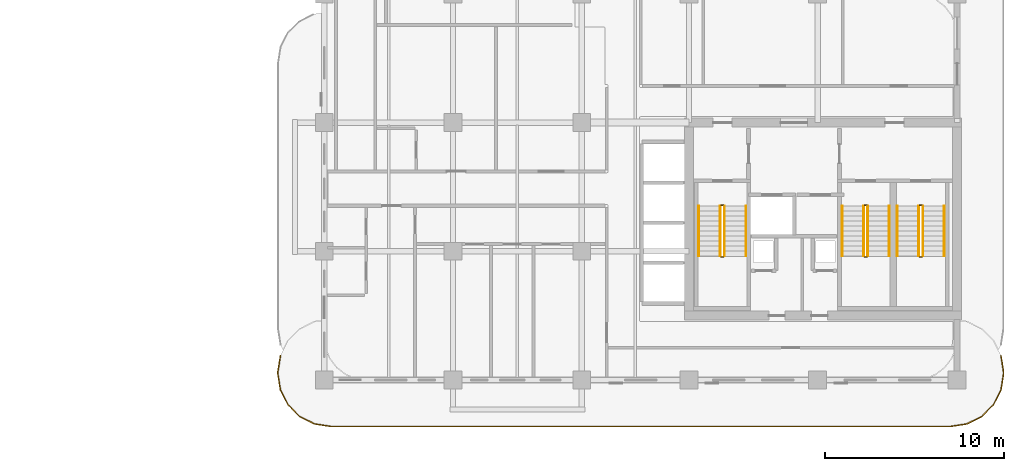
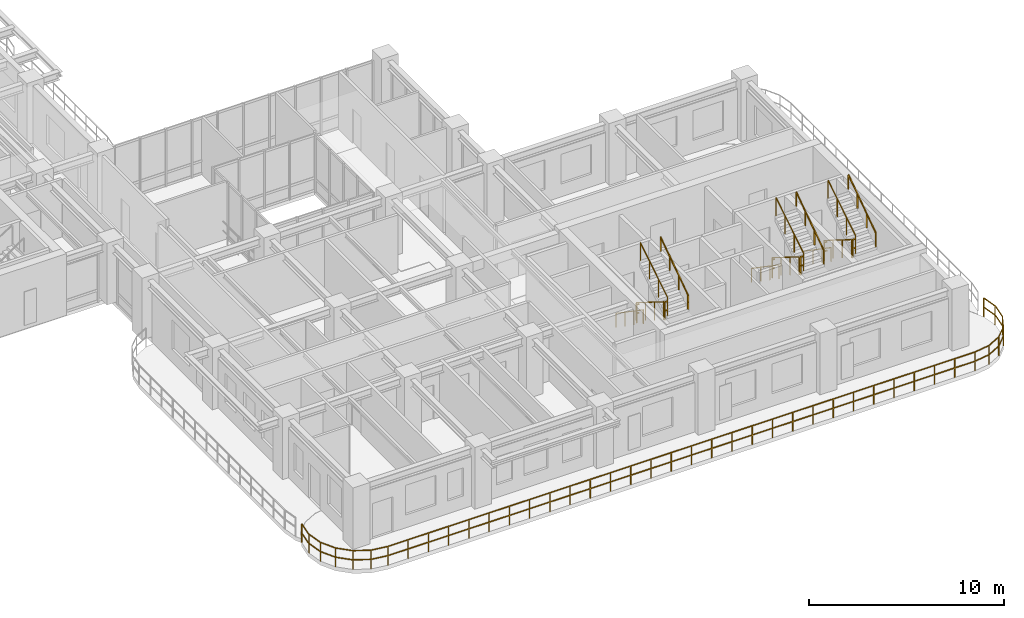
# One storey, part 18 of 20: 19 railings.
"""IFC4 building model written with IfcOpenShell, lengths in metres."""

from ifc_helpers import new_model, si_unit, derived_unit, direction, frame, origin, origin_2d, place, context, subcontext, project, spatial, rectangle, extrude, material, type_object, element, save


model = new_model("IFC4")

# Units and contexts
model_context = context("Model", 3, precision=1e-05, world=origin(), true_north=direction((0.0, 1.0)))
body_context = subcontext(model_context, "Body", "Model", "MODEL_VIEW")
ifc_project = project(units=[si_unit("LENGTHUNIT", "METRE"), si_unit("AREAUNIT", "SQUARE_METRE"), si_unit("VOLUMEUNIT", "CUBIC_METRE"), si_unit("PLANEANGLEUNIT", "RADIAN"), si_unit("MASSUNIT", "GRAM", prefix="KILO"), si_unit("THERMODYNAMICTEMPERATUREUNIT", "KELVIN"), si_unit("POWERUNIT", "WATT"), derived_unit("THERMALTRANSMITTANCEUNIT", [(si_unit("POWERUNIT", "WATT"), 1), (si_unit("AREAUNIT", "SQUARE_METRE"), -1), (si_unit("THERMODYNAMICTEMPERATUREUNIT", "KELVIN"), -1)])], contexts=[model_context])

# Site, building, storey
site_placement = place(None, origin())
site = spatial("IfcSite", under=ifc_project, at=site_placement, CompositionType="ELEMENT")
building_placement = place(site_placement, origin())
building = spatial("IfcBuilding", under=site, at=building_placement, Name="Zahravan Archway Hotel and Residences", CompositionType="ELEMENT")
storey_placement = place(building_placement, frame((0.0, 0.0, 177.25)))
storey = spatial("IfcBuildingStorey", under=building, at=storey_placement, Name="L44", CompositionType="ELEMENT", Elevation=177.25)

# Railings
ifc_material_1 = material(Name="Bronze & Laminated Glass Balustrade", Category="glass")
railing_type_1 = type_object("IfcRailingType", Name="RL-BAL-1200", PredefinedType="BALUSTRADE", material=ifc_material_1)
railing_1_placement = place(storey_placement, frame((52.255615234375, 1.361572265625, 0.0)))
element("IfcRailing", 1, at=railing_1_placement, inside=storey, type_object=railing_type_1, Name="L44 Balustrade RL-SLB-BAL-L44-SA-1", PredefinedType="BALUSTRADE", context=body_context, shape_type="SweptSolid", body=[
    extrude(rectangle(XDim=0.048095703125, YDim=0.048095703125, at=origin_2d()), frame((0.0, 0.0, 1.17578125), z_axis=(0.156329311416, -0.987704989555, 0.0), x_axis=(0.987704989555, 0.156329311416, 0.0)), (0.0, 0.0, 1.0), 0.9228515625),
    extrude(rectangle(XDim=0.048095703125, YDim=0.048095703125, at=origin_2d()), frame((0.0, 0.0, 0.60009765625), z_axis=(0.156329311416, -0.987704989555, 0.0), x_axis=(0.987704989555, 0.156329311416, 0.0)), (0.0, 0.0, 1.0), 0.9228515625),
    extrude(rectangle(XDim=0.048095703125, YDim=0.048095703125, at=origin_2d()), frame((0.144287109375, -0.91162109375, 1.17578125), z_axis=(0.0, -1.0, 0.0), x_axis=(1.0, 0.0, 0.0)), (0.0, 0.0, 1.0), 0.099853515625),
    extrude(rectangle(XDim=0.048095703125, YDim=0.048095703125, at=origin_2d()), frame((0.144287109375, -0.91162109375, 0.60009765625), z_axis=(0.0, -1.0, 0.0), x_axis=(1.0, 0.0, 0.0)), (0.0, 0.0, 1.0), 0.099853515625),
    extrude(rectangle(XDim=0.048095703125, YDim=0.048095703125, at=origin_2d()), frame((0.144287109375, -1.011474609375, 1.17578125), z_axis=(-0.156329311416, -0.987704989555, 0.0), x_axis=(0.987704989555, -0.156329311416, 0.0)), (0.0, 0.0, 1.0), 0.9228515625),
    extrude(rectangle(XDim=0.048095703125, YDim=0.048095703125, at=origin_2d()), frame((0.144287109375, -1.011474609375, 0.60009765625), z_axis=(-0.156329311416, -0.987704989555, 0.0), x_axis=(0.987704989555, -0.156329311416, 0.0)), (0.0, 0.0, 1.0), 0.9228515625),
    extrude(rectangle(XDim=0.048095703125, YDim=0.048095703125, at=origin_2d()), frame((0.0, -1.923095703125, 1.17578125), z_axis=(-0.453866348456, -0.891069771532, 0.0), x_axis=(0.891069771532, -0.453866348456, 0.0)), (0.0, 0.0, 1.0), 0.923095703125),
    extrude(rectangle(XDim=0.048095703125, YDim=0.048095703125, at=origin_2d()), frame((0.0, -1.923095703125, 0.60009765625), z_axis=(-0.453866348456, -0.891069771532, 0.0), x_axis=(0.891069771532, -0.453866348456, 0.0)), (0.0, 0.0, 1.0), 0.923095703125),
    extrude(rectangle(XDim=0.048095703125, YDim=0.048095703125, at=origin_2d()), frame((-0.4189453125, -2.74560546875, 1.17578125), z_axis=(-0.707106781187, -0.707106781187, 0.0), x_axis=(0.707106781187, -0.707106781187, 0.0)), (0.0, 0.0, 1.0), 0.9228515625),
    extrude(rectangle(XDim=0.048095703125, YDim=0.048095703125, at=origin_2d()), frame((-0.4189453125, -2.74560546875, 0.60009765625), z_axis=(-0.707106781187, -0.707106781187, 0.0), x_axis=(0.707106781187, -0.707106781187, 0.0)), (0.0, 0.0, 1.0), 0.9228515625),
    extrude(rectangle(XDim=0.048095703125, YDim=0.048095703125, at=origin_2d()), frame((-1.071533203125, -3.398193359375, 1.17578125), z_axis=(-0.891069771532, -0.453866348456, 0.0), x_axis=(0.453866348456, -0.891069771532, 0.0)), (0.0, 0.0, 1.0), 0.923095703125),
    extrude(rectangle(XDim=0.048095703125, YDim=0.048095703125, at=origin_2d()), frame((-1.071533203125, -3.398193359375, 0.60009765625), z_axis=(-0.891069771532, -0.453866348456, 0.0), x_axis=(0.453866348456, -0.891069771532, 0.0)), (0.0, 0.0, 1.0), 0.923095703125),
    extrude(rectangle(XDim=0.048095703125, YDim=0.048095703125, at=origin_2d()), frame((-1.89404296875, -3.817138671875, 1.17578125), z_axis=(-0.98766411426, -0.156587347521, 0.0), x_axis=(0.156587347521, -0.98766411426, 0.0)), (0.0, 0.0, 1.0), 0.923095703125),
    extrude(rectangle(XDim=0.048095703125, YDim=0.048095703125, at=origin_2d()), frame((-1.89404296875, -3.817138671875, 0.60009765625), z_axis=(-0.98766411426, -0.156587347521, 0.0), x_axis=(0.156587347521, -0.98766411426, 0.0)), (0.0, 0.0, 1.0), 0.923095703125),
    extrude(rectangle(XDim=0.048095703125, YDim=0.048095703125, at=origin_2d()), frame((-2.8056640625, -3.961669921875, 1.17578125), z_axis=(-1.0, 0.0, 0.0), x_axis=(0.0, -1.0, 0.0)), (0.0, 0.0, 1.0), 34.699951171875),
    extrude(rectangle(XDim=0.048095703125, YDim=0.048095703125, at=origin_2d()), frame((-2.8056640625, -3.961669921875, 0.60009765625), z_axis=(-1.0, 0.0, 0.0), x_axis=(0.0, -1.0, 0.0)), (0.0, 0.0, 1.0), 34.699951171875),
    extrude(rectangle(XDim=0.048095703125, YDim=0.048095703125, at=origin_2d()), frame((-37.505615234375, -3.961669921875, 1.17578125), z_axis=(-0.98766411426, 0.156587347521, 0.0), x_axis=(-0.156587347521, -0.98766411426, 0.0)), (0.0, 0.0, 1.0), 0.923095703125),
    extrude(rectangle(XDim=0.048095703125, YDim=0.048095703125, at=origin_2d()), frame((-37.505615234375, -3.961669921875, 0.60009765625), z_axis=(-0.98766411426, 0.156587347521, 0.0), x_axis=(-0.156587347521, -0.98766411426, 0.0)), (0.0, 0.0, 1.0), 0.923095703125),
    extrude(rectangle(XDim=0.048095703125, YDim=0.048095703125, at=origin_2d()), frame((-38.417236328125, -3.817138671875, 1.17578125), z_axis=(-0.891015268556, 0.453973337542, 0.0), x_axis=(-0.453973337542, -0.891015268556, 0.0)), (0.0, 0.0, 1.0), 0.9228515625),
    extrude(rectangle(XDim=0.048095703125, YDim=0.048095703125, at=origin_2d()), frame((-38.417236328125, -3.817138671875, 0.60009765625), z_axis=(-0.891015268556, 0.453973337542, 0.0), x_axis=(-0.453973337542, -0.891015268556, 0.0)), (0.0, 0.0, 1.0), 0.9228515625),
    extrude(rectangle(XDim=0.048095703125, YDim=0.048095703125, at=origin_2d()), frame((-39.239501953125, -3.398193359375, 1.17578125), z_axis=(-0.707239012465, 0.706974525176, 0.0), x_axis=(-0.706974525176, -0.707239012465, 0.0)), (0.0, 0.0, 1.0), 0.923095703125),
    extrude(rectangle(XDim=0.048095703125, YDim=0.048095703125, at=origin_2d()), frame((-39.239501953125, -3.398193359375, 0.60009765625), z_axis=(-0.707239012465, 0.706974525176, 0.0), x_axis=(-0.706974525176, -0.707239012465, 0.0)), (0.0, 0.0, 1.0), 0.923095703125),
    extrude(rectangle(XDim=0.048095703125, YDim=0.048095703125, at=origin_2d()), frame((-39.892333984375, -2.74560546875, 1.17578125), z_axis=(-0.453866348456, 0.891069771532, 0.0), x_axis=(-0.891069771532, -0.453866348456, 0.0)), (0.0, 0.0, 1.0), 0.923095703125),
    extrude(rectangle(XDim=0.048095703125, YDim=0.048095703125, at=origin_2d()), frame((-39.892333984375, -2.74560546875, 0.60009765625), z_axis=(-0.453866348456, 0.891069771532, 0.0), x_axis=(-0.891069771532, -0.453866348456, 0.0)), (0.0, 0.0, 1.0), 0.923095703125),
    extrude(rectangle(XDim=0.048095703125, YDim=0.048095703125, at=origin_2d()), frame((-40.311279296875, -1.923095703125, 1.17578125), z_axis=(-0.156329311416, 0.987704989555, 0.0), x_axis=(-0.987704989555, -0.156329311416, 0.0)), (0.0, 0.0, 1.0), 0.9228515625),
    extrude(rectangle(XDim=0.048095703125, YDim=0.048095703125, at=origin_2d()), frame((-40.311279296875, -1.923095703125, 0.60009765625), z_axis=(-0.156329311416, 0.987704989555, 0.0), x_axis=(-0.987704989555, -0.156329311416, 0.0)), (0.0, 0.0, 1.0), 0.9228515625),
    extrude(rectangle(XDim=0.048095703125, YDim=0.048095703125, at=origin_2d()), frame((-40.45556640625, -1.011474609375, 1.17578125), z_axis=(0.0, 1.0, 0.0), x_axis=(-1.0, 0.0, 0.0)), (0.0, 0.0, 1.0), 0.099853515625),
    extrude(rectangle(XDim=0.048095703125, YDim=0.048095703125, at=origin_2d()), frame((-40.45556640625, -1.011474609375, 0.60009765625), z_axis=(0.0, 1.0, 0.0), x_axis=(-1.0, 0.0, 0.0)), (0.0, 0.0, 1.0), 0.099853515625),
    extrude(rectangle(XDim=0.048095703125, YDim=0.048095703125, at=origin_2d()), frame((-40.45556640625, -0.91162109375, 1.17578125), z_axis=(0.156329311416, 0.987704989555, 0.0), x_axis=(-0.987704989555, 0.156329311416, 0.0)), (0.0, 0.0, 1.0), 0.9228515625),
    extrude(rectangle(XDim=0.048095703125, YDim=0.048095703125, at=origin_2d()), frame((-40.45556640625, -0.91162109375, 0.60009765625), z_axis=(0.156329311416, 0.987704989555, 0.0), x_axis=(-0.987704989555, 0.156329311416, 0.0)), (0.0, 0.0, 1.0), 0.9228515625),
    extrude(rectangle(XDim=0.0419921875, YDim=0.0419921875, at=origin_2d()), origin(), (0.0, 0.0, 1.0), 1.15185546875),
    extrude(rectangle(XDim=0.0419921875, YDim=0.0419921875, at=origin_2d()), frame((0.144287109375, -0.91162109375, 0.0)), (0.0, 0.0, 1.0), 1.15185546875),
    extrude(rectangle(XDim=0.0419921875, YDim=0.0419921875, at=origin_2d()), frame((0.0, -1.923095703125, 0.0)), (0.0, 0.0, 1.0), 1.15185546875),
    extrude(rectangle(XDim=0.0419921875, YDim=0.0419921875, at=origin_2d()), frame((-0.4189453125, -2.74560546875, 0.0)), (0.0, 0.0, 1.0), 1.15185546875),
    extrude(rectangle(XDim=0.0419921875, YDim=0.0419921875, at=origin_2d()), frame((-1.071533203125, -3.398193359375, 0.0)), (0.0, 0.0, 1.0), 1.15185546875),
    extrude(rectangle(XDim=0.0419921875, YDim=0.0419921875, at=origin_2d()), frame((-1.89404296875, -3.817138671875, 0.0)), (0.0, 0.0, 1.0), 1.15185546875),
    extrude(rectangle(XDim=0.0419921875, YDim=0.0419921875, at=origin_2d()), frame((-2.8056640625, -3.961669921875, 0.0)), (0.0, 0.0, 1.0), 1.15185546875),
    extrude(rectangle(XDim=0.0419921875, YDim=0.0419921875, at=origin_2d()), frame((-4.002197265625, -3.961669921875, 0.0)), (0.0, 0.0, 1.0), 1.15185546875),
    extrude(rectangle(XDim=0.0419921875, YDim=0.0419921875, at=origin_2d()), frame((-5.19873046875, -3.961669921875, 0.0)), (0.0, 0.0, 1.0), 1.15185546875),
    extrude(rectangle(XDim=0.0419921875, YDim=0.0419921875, at=origin_2d()), frame((-6.395263671875, -3.961669921875, 0.0)), (0.0, 0.0, 1.0), 1.15185546875),
    extrude(rectangle(XDim=0.0419921875, YDim=0.0419921875, at=origin_2d()), frame((-7.591796875, -3.961669921875, 0.0)), (0.0, 0.0, 1.0), 1.15185546875),
    extrude(rectangle(XDim=0.0419921875, YDim=0.0419921875, at=origin_2d()), frame((-8.788330078125, -3.961669921875, 0.0)), (0.0, 0.0, 1.0), 1.15185546875),
    extrude(rectangle(XDim=0.0419921875, YDim=0.0419921875, at=origin_2d()), frame((-9.98486328125, -3.961669921875, 0.0)), (0.0, 0.0, 1.0), 1.15185546875),
    extrude(rectangle(XDim=0.0419921875, YDim=0.0419921875, at=origin_2d()), frame((-11.181396484375, -3.961669921875, 0.0)), (0.0, 0.0, 1.0), 1.15185546875),
    extrude(rectangle(XDim=0.0419921875, YDim=0.0419921875, at=origin_2d()), frame((-12.378173828125, -3.961669921875, 0.0)), (0.0, 0.0, 1.0), 1.15185546875),
    extrude(rectangle(XDim=0.0419921875, YDim=0.0419921875, at=origin_2d()), frame((-13.57470703125, -3.961669921875, 0.0)), (0.0, 0.0, 1.0), 1.15185546875),
    extrude(rectangle(XDim=0.0419921875, YDim=0.0419921875, at=origin_2d()), frame((-14.771240234375, -3.961669921875, 0.0)), (0.0, 0.0, 1.0), 1.15185546875),
    extrude(rectangle(XDim=0.0419921875, YDim=0.0419921875, at=origin_2d()), frame((-15.9677734375, -3.961669921875, 0.0)), (0.0, 0.0, 1.0), 1.15185546875),
    extrude(rectangle(XDim=0.0419921875, YDim=0.0419921875, at=origin_2d()), frame((-17.164306640625, -3.961669921875, 0.0)), (0.0, 0.0, 1.0), 1.15185546875),
    extrude(rectangle(XDim=0.0419921875, YDim=0.0419921875, at=origin_2d()), frame((-18.36083984375, -3.961669921875, 0.0)), (0.0, 0.0, 1.0), 1.15185546875),
    extrude(rectangle(XDim=0.0419921875, YDim=0.0419921875, at=origin_2d()), frame((-19.557373046875, -3.961669921875, 0.0)), (0.0, 0.0, 1.0), 1.15185546875),
    extrude(rectangle(XDim=0.0419921875, YDim=0.0419921875, at=origin_2d()), frame((-20.75390625, -3.961669921875, 0.0)), (0.0, 0.0, 1.0), 1.15185546875),
    extrude(rectangle(XDim=0.0419921875, YDim=0.0419921875, at=origin_2d()), frame((-21.950439453125, -3.961669921875, 0.0)), (0.0, 0.0, 1.0), 1.15185546875),
    extrude(rectangle(XDim=0.0419921875, YDim=0.0419921875, at=origin_2d()), frame((-23.14697265625, -3.961669921875, 0.0)), (0.0, 0.0, 1.0), 1.15185546875),
    extrude(rectangle(XDim=0.0419921875, YDim=0.0419921875, at=origin_2d()), frame((-24.343505859375, -3.961669921875, 0.0)), (0.0, 0.0, 1.0), 1.15185546875),
    extrude(rectangle(XDim=0.0419921875, YDim=0.0419921875, at=origin_2d()), frame((-25.5400390625, -3.961669921875, 0.0)), (0.0, 0.0, 1.0), 1.15185546875),
    extrude(rectangle(XDim=0.0419921875, YDim=0.0419921875, at=origin_2d()), frame((-26.736572265625, -3.961669921875, 0.0)), (0.0, 0.0, 1.0), 1.15185546875),
    extrude(rectangle(XDim=0.0419921875, YDim=0.0419921875, at=origin_2d()), frame((-27.93310546875, -3.961669921875, 0.0)), (0.0, 0.0, 1.0), 1.15185546875),
    extrude(rectangle(XDim=0.0419921875, YDim=0.0419921875, at=origin_2d()), frame((-29.1298828125, -3.961669921875, 0.0)), (0.0, 0.0, 1.0), 1.15185546875),
    extrude(rectangle(XDim=0.0419921875, YDim=0.0419921875, at=origin_2d()), frame((-30.326416015625, -3.961669921875, 0.0)), (0.0, 0.0, 1.0), 1.15185546875),
    extrude(rectangle(XDim=0.0419921875, YDim=0.0419921875, at=origin_2d()), frame((-31.52294921875, -3.961669921875, 0.0)), (0.0, 0.0, 1.0), 1.15185546875),
    extrude(rectangle(XDim=0.0419921875, YDim=0.0419921875, at=origin_2d()), frame((-32.719482421875, -3.961669921875, 0.0)), (0.0, 0.0, 1.0), 1.15185546875),
    extrude(rectangle(XDim=0.0419921875, YDim=0.0419921875, at=origin_2d()), frame((-33.916015625, -3.961669921875, 0.0)), (0.0, 0.0, 1.0), 1.15185546875),
    extrude(rectangle(XDim=0.0419921875, YDim=0.0419921875, at=origin_2d()), frame((-35.112548828125, -3.961669921875, 0.0)), (0.0, 0.0, 1.0), 1.15185546875),
    extrude(rectangle(XDim=0.0419921875, YDim=0.0419921875, at=origin_2d()), frame((-36.30908203125, -3.961669921875, 0.0)), (0.0, 0.0, 1.0), 1.15185546875),
    extrude(rectangle(XDim=0.0419921875, YDim=0.0419921875, at=origin_2d()), frame((-37.505615234375, -3.961669921875, 0.0)), (0.0, 0.0, 1.0), 1.15185546875),
    extrude(rectangle(XDim=0.0419921875, YDim=0.0419921875, at=origin_2d()), frame((-38.417236328125, -3.817138671875, 0.0)), (0.0, 0.0, 1.0), 1.15185546875),
    extrude(rectangle(XDim=0.0419921875, YDim=0.0419921875, at=origin_2d()), frame((-39.239501953125, -3.398193359375, 0.0)), (0.0, 0.0, 1.0), 1.15185546875),
    extrude(rectangle(XDim=0.0419921875, YDim=0.0419921875, at=origin_2d()), frame((-39.892333984375, -2.74560546875, 0.0)), (0.0, 0.0, 1.0), 1.15185546875),
    extrude(rectangle(XDim=0.0419921875, YDim=0.0419921875, at=origin_2d()), frame((-40.311279296875, -1.923095703125, 0.0)), (0.0, 0.0, 1.0), 1.15185546875),
    extrude(rectangle(XDim=0.0419921875, YDim=0.0419921875, at=origin_2d()), frame((-40.45556640625, -1.011474609375, 0.0)), (0.0, 0.0, 1.0), 1.15185546875),
    extrude(rectangle(XDim=0.0419921875, YDim=0.0419921875, at=origin_2d()), frame((-40.311279296875, 0.0, 0.0)), (0.0, 0.0, 1.0), 1.15185546875),
])
ifc_material_2 = material(Name="Painted Tubular Steel", Category="steel")
railing_type_2 = type_object("IfcRailingType", Name="RL-STG-1150", PredefinedType="GUARDRAIL", material=ifc_material_2)
railing_2_placement = place(storey_placement, frame((36.550048828125, 9.72998046875, 0.175048828125)))
element("IfcRailing", 2, at=railing_2_placement, inside=storey, type_object=railing_type_2, Name="L44 ST-A1 stair guard 1", PredefinedType="GUARDRAIL", context=body_context, shape_type="SweptSolid", body=[
    extrude(rectangle(XDim=0.048095703125, YDim=0.048095703125, at=origin_2d()), frame((0.0, 0.0, 1.1259765625), z_axis=(0.0, -0.848002457836, 0.529992293815), x_axis=(1.0, 0.0, 0.0)), (0.0, 0.0, 1.0), 3.302001953125),
    extrude(rectangle(XDim=0.0419921875, YDim=0.0419921875, at=origin_2d()), origin(), (0.0, 0.0, 1.0), 1.101806640625),
    extrude(rectangle(XDim=0.0419921875, YDim=0.0419921875, at=origin_2d()), frame((0.0, -0.933349609375, 0.583251953125)), (0.0, 0.0, 1.0), 1.101806640625),
    extrude(rectangle(XDim=0.0419921875, YDim=0.0419921875, at=origin_2d()), frame((0.0, -1.86669921875, 1.166748046875)), (0.0, 0.0, 1.0), 1.101806640625),
    extrude(rectangle(XDim=0.0419921875, YDim=0.0419921875, at=origin_2d()), frame((0.0, -2.800048828125, 1.75)), (0.0, 0.0, 1.0), 1.101806640625),
])
railing_3_placement = place(storey_placement, frame((36.60009765625, 6.8798828125, 1.925048828125)))
element("IfcRailing", 3, at=railing_3_placement, inside=storey, type_object=railing_type_2, Name="L44 ST-A1 stair guard 2", PredefinedType="GUARDRAIL", context=body_context, shape_type="SweptSolid", body=[
    extrude(rectangle(XDim=0.048095703125, YDim=0.048095703125, at=origin_2d()), frame((0.0, 0.0, 1.1259765625), z_axis=(1.0, 0.0, 0.0), x_axis=(0.0, 1.0, 0.0)), (0.0, 0.0, 1.0), 0.139892578125),
    extrude(rectangle(XDim=0.048095703125, YDim=0.048095703125, at=origin_2d()), frame((0.0, 0.0, 0.574951171875), z_axis=(1.0, 0.0, 0.0), x_axis=(0.0, 1.0, 0.0)), (0.0, 0.0, 1.0), 0.139892578125),
    extrude(rectangle(XDim=0.0419921875, YDim=0.0419921875, at=origin_2d()), origin(), (0.0, 0.0, 1.0), 1.101806640625),
])
railing_4_placement = place(storey_placement, frame((36.7900390625, 6.929931640625, 2.10009765625)))
element("IfcRailing", 4, at=railing_4_placement, inside=storey, type_object=railing_type_2, Name="L44 ST-A1 stair guard 3", PredefinedType="GUARDRAIL", context=body_context, shape_type="SweptSolid", body=[
    extrude(rectangle(XDim=0.048095703125, YDim=0.048095703125, at=origin_2d()), frame((0.0, 0.0, 1.1259765625), z_axis=(0.0, 0.848002457836, 0.529992293815), x_axis=(-1.0, 0.0, 0.0)), (0.0, 0.0, 1.0), 3.302001953125),
    extrude(rectangle(XDim=0.0419921875, YDim=0.0419921875, at=origin_2d()), origin(), (0.0, 0.0, 1.0), 1.101806640625),
    extrude(rectangle(XDim=0.0419921875, YDim=0.0419921875, at=origin_2d()), frame((0.0, 0.933349609375, 0.583251953125)), (0.0, 0.0, 1.0), 1.101806640625),
    extrude(rectangle(XDim=0.0419921875, YDim=0.0419921875, at=origin_2d()), frame((0.0, 1.86669921875, 1.166748046875)), (0.0, 0.0, 1.0), 1.101806640625),
    extrude(rectangle(XDim=0.0419921875, YDim=0.0419921875, at=origin_2d()), frame((0.0, 2.800048828125, 1.75)), (0.0, 0.0, 1.0), 1.101806640625),
])
railing_5_placement = place(storey_placement, frame((36.60009765625, 9.780029296875, 0.0)))
element("IfcRailing", 5, at=railing_5_placement, inside=storey, type_object=railing_type_2, Name="L44 ST-A1 stair guard 4", PredefinedType="GUARDRAIL", context=body_context, shape_type="SweptSolid", body=[
    extrude(rectangle(XDim=0.048095703125, YDim=0.048095703125, at=origin_2d()), frame((0.0, 0.0, 1.1259765625), z_axis=(1.0, 0.0, 0.0), x_axis=(0.0, 1.0, 0.0)), (0.0, 0.0, 1.0), 0.139892578125),
    extrude(rectangle(XDim=0.048095703125, YDim=0.048095703125, at=origin_2d()), frame((0.0, 0.0, 0.574951171875), z_axis=(1.0, 0.0, 0.0), x_axis=(0.0, 1.0, 0.0)), (0.0, 0.0, 1.0), 0.139892578125),
    extrude(rectangle(XDim=0.0419921875, YDim=0.0419921875, at=origin_2d()), origin(), (0.0, 0.0, 1.0), 1.101806640625),
])
railing_6_placement = place(storey_placement, frame((44.570068359375, 9.72998046875, 0.175048828125)))
element("IfcRailing", 6, at=railing_6_placement, inside=storey, type_object=railing_type_2, Name="L44 ST-A2 stair guard 1", PredefinedType="GUARDRAIL", context=body_context, shape_type="SweptSolid", body=[
    extrude(rectangle(XDim=0.048095703125, YDim=0.048095703125, at=origin_2d()), frame((0.0, 0.0, 1.1259765625), z_axis=(0.0, -0.848002457836, 0.529992293815), x_axis=(1.0, 0.0, 0.0)), (0.0, 0.0, 1.0), 3.302001953125),
    extrude(rectangle(XDim=0.0419921875, YDim=0.0419921875, at=origin_2d()), origin(), (0.0, 0.0, 1.0), 1.101806640625),
    extrude(rectangle(XDim=0.0419921875, YDim=0.0419921875, at=origin_2d()), frame((0.0, -0.933349609375, 0.583251953125)), (0.0, 0.0, 1.0), 1.101806640625),
    extrude(rectangle(XDim=0.0419921875, YDim=0.0419921875, at=origin_2d()), frame((0.0, -1.86669921875, 1.166748046875)), (0.0, 0.0, 1.0), 1.101806640625),
    extrude(rectangle(XDim=0.0419921875, YDim=0.0419921875, at=origin_2d()), frame((0.0, -2.800048828125, 1.75)), (0.0, 0.0, 1.0), 1.101806640625),
])
railing_7_placement = place(storey_placement, frame((44.6201171875, 6.8798828125, 1.925048828125)))
element("IfcRailing", 7, at=railing_7_placement, inside=storey, type_object=railing_type_2, Name="L44 ST-A2 stair guard 2", PredefinedType="GUARDRAIL", context=body_context, shape_type="SweptSolid", body=[
    extrude(rectangle(XDim=0.048095703125, YDim=0.048095703125, at=origin_2d()), frame((0.0, 0.0, 1.1259765625), z_axis=(1.0, 0.0, 0.0), x_axis=(0.0, 1.0, 0.0)), (0.0, 0.0, 1.0), 0.139892578125),
    extrude(rectangle(XDim=0.048095703125, YDim=0.048095703125, at=origin_2d()), frame((0.0, 0.0, 0.574951171875), z_axis=(1.0, 0.0, 0.0), x_axis=(0.0, 1.0, 0.0)), (0.0, 0.0, 1.0), 0.139892578125),
    extrude(rectangle(XDim=0.0419921875, YDim=0.0419921875, at=origin_2d()), origin(), (0.0, 0.0, 1.0), 1.101806640625),
])
railing_8_placement = place(storey_placement, frame((44.81005859375, 6.929931640625, 2.10009765625)))
element("IfcRailing", 8, at=railing_8_placement, inside=storey, type_object=railing_type_2, Name="L44 ST-A2 stair guard 3", PredefinedType="GUARDRAIL", context=body_context, shape_type="SweptSolid", body=[
    extrude(rectangle(XDim=0.048095703125, YDim=0.048095703125, at=origin_2d()), frame((0.0, 0.0, 1.1259765625), z_axis=(0.0, 0.848002457836, 0.529992293815), x_axis=(-1.0, 0.0, 0.0)), (0.0, 0.0, 1.0), 3.302001953125),
    extrude(rectangle(XDim=0.0419921875, YDim=0.0419921875, at=origin_2d()), origin(), (0.0, 0.0, 1.0), 1.101806640625),
    extrude(rectangle(XDim=0.0419921875, YDim=0.0419921875, at=origin_2d()), frame((0.0, 0.933349609375, 0.583251953125)), (0.0, 0.0, 1.0), 1.101806640625),
    extrude(rectangle(XDim=0.0419921875, YDim=0.0419921875, at=origin_2d()), frame((0.0, 1.86669921875, 1.166748046875)), (0.0, 0.0, 1.0), 1.101806640625),
    extrude(rectangle(XDim=0.0419921875, YDim=0.0419921875, at=origin_2d()), frame((0.0, 2.800048828125, 1.75)), (0.0, 0.0, 1.0), 1.101806640625),
])
railing_9_placement = place(storey_placement, frame((44.6201171875, 9.780029296875, 0.0)))
element("IfcRailing", 9, at=railing_9_placement, inside=storey, type_object=railing_type_2, Name="L44 ST-A2 stair guard 4", PredefinedType="GUARDRAIL", context=body_context, shape_type="SweptSolid", body=[
    extrude(rectangle(XDim=0.048095703125, YDim=0.048095703125, at=origin_2d()), frame((0.0, 0.0, 1.1259765625), z_axis=(1.0, 0.0, 0.0), x_axis=(0.0, 1.0, 0.0)), (0.0, 0.0, 1.0), 0.139892578125),
    extrude(rectangle(XDim=0.048095703125, YDim=0.048095703125, at=origin_2d()), frame((0.0, 0.0, 0.574951171875), z_axis=(1.0, 0.0, 0.0), x_axis=(0.0, 1.0, 0.0)), (0.0, 0.0, 1.0), 0.139892578125),
    extrude(rectangle(XDim=0.0419921875, YDim=0.0419921875, at=origin_2d()), origin(), (0.0, 0.0, 1.0), 1.101806640625),
])
railing_10_placement = place(storey_placement, frame((47.64990234375, 9.72998046875, 0.175048828125)))
element("IfcRailing", 10, at=railing_10_placement, inside=storey, type_object=railing_type_2, Name="L44 ST-A3 stair guard 1", PredefinedType="GUARDRAIL", context=body_context, shape_type="SweptSolid", body=[
    extrude(rectangle(XDim=0.048095703125, YDim=0.048095703125, at=origin_2d()), frame((0.0, 0.0, 1.1259765625), z_axis=(0.0, -0.848002457836, 0.529992293815), x_axis=(1.0, 0.0, 0.0)), (0.0, 0.0, 1.0), 3.302001953125),
    extrude(rectangle(XDim=0.0419921875, YDim=0.0419921875, at=origin_2d()), origin(), (0.0, 0.0, 1.0), 1.101806640625),
    extrude(rectangle(XDim=0.0419921875, YDim=0.0419921875, at=origin_2d()), frame((0.0, -0.933349609375, 0.583251953125)), (0.0, 0.0, 1.0), 1.101806640625),
    extrude(rectangle(XDim=0.0419921875, YDim=0.0419921875, at=origin_2d()), frame((0.0, -1.86669921875, 1.166748046875)), (0.0, 0.0, 1.0), 1.101806640625),
    extrude(rectangle(XDim=0.0419921875, YDim=0.0419921875, at=origin_2d()), frame((0.0, -2.800048828125, 1.75)), (0.0, 0.0, 1.0), 1.101806640625),
])
railing_11_placement = place(storey_placement, frame((47.699951171875, 6.8798828125, 1.925048828125)))
element("IfcRailing", 11, at=railing_11_placement, inside=storey, type_object=railing_type_2, Name="L44 ST-A3 stair guard 2", PredefinedType="GUARDRAIL", context=body_context, shape_type="SweptSolid", body=[
    extrude(rectangle(XDim=0.048095703125, YDim=0.048095703125, at=origin_2d()), frame((0.0, 0.0, 1.1259765625), z_axis=(1.0, 0.0, 0.0), x_axis=(0.0, 1.0, 0.0)), (0.0, 0.0, 1.0), 0.14013671875),
    extrude(rectangle(XDim=0.048095703125, YDim=0.048095703125, at=origin_2d()), frame((0.0, 0.0, 0.574951171875), z_axis=(1.0, 0.0, 0.0), x_axis=(0.0, 1.0, 0.0)), (0.0, 0.0, 1.0), 0.14013671875),
    extrude(rectangle(XDim=0.0419921875, YDim=0.0419921875, at=origin_2d()), origin(), (0.0, 0.0, 1.0), 1.101806640625),
])
railing_12_placement = place(storey_placement, frame((47.889892578125, 6.929931640625, 2.10009765625)))
element("IfcRailing", 12, at=railing_12_placement, inside=storey, type_object=railing_type_2, Name="L44 ST-A3 stair guard 3", PredefinedType="GUARDRAIL", context=body_context, shape_type="SweptSolid", body=[
    extrude(rectangle(XDim=0.048095703125, YDim=0.048095703125, at=origin_2d()), frame((0.0, 0.0, 1.1259765625), z_axis=(0.0, 0.848002457836, 0.529992293815), x_axis=(-1.0, 0.0, 0.0)), (0.0, 0.0, 1.0), 3.302001953125),
    extrude(rectangle(XDim=0.0419921875, YDim=0.0419921875, at=origin_2d()), origin(), (0.0, 0.0, 1.0), 1.101806640625),
    extrude(rectangle(XDim=0.0419921875, YDim=0.0419921875, at=origin_2d()), frame((0.0, 0.933349609375, 0.583251953125)), (0.0, 0.0, 1.0), 1.101806640625),
    extrude(rectangle(XDim=0.0419921875, YDim=0.0419921875, at=origin_2d()), frame((0.0, 1.86669921875, 1.166748046875)), (0.0, 0.0, 1.0), 1.101806640625),
    extrude(rectangle(XDim=0.0419921875, YDim=0.0419921875, at=origin_2d()), frame((0.0, 2.800048828125, 1.75)), (0.0, 0.0, 1.0), 1.101806640625),
])
railing_13_placement = place(storey_placement, frame((47.699951171875, 9.780029296875, 0.0)))
element("IfcRailing", 13, at=railing_13_placement, inside=storey, type_object=railing_type_2, Name="L44 ST-A3 stair guard 4", PredefinedType="GUARDRAIL", context=body_context, shape_type="SweptSolid", body=[
    extrude(rectangle(XDim=0.048095703125, YDim=0.048095703125, at=origin_2d()), frame((0.0, 0.0, 1.1259765625), z_axis=(1.0, 0.0, 0.0), x_axis=(0.0, 1.0, 0.0)), (0.0, 0.0, 1.0), 0.14013671875),
    extrude(rectangle(XDim=0.048095703125, YDim=0.048095703125, at=origin_2d()), frame((0.0, 0.0, 0.574951171875), z_axis=(1.0, 0.0, 0.0), x_axis=(0.0, 1.0, 0.0)), (0.0, 0.0, 1.0), 0.14013671875),
    extrude(rectangle(XDim=0.0419921875, YDim=0.0419921875, at=origin_2d()), origin(), (0.0, 0.0, 1.0), 1.101806640625),
])
ifc_material_3 = material(Name="Brushed Stainless Steel", Category="steel")
railing_type_3 = type_object("IfcRailingType", Name="RL-STH-900", PredefinedType="HANDRAIL", material=ifc_material_3)
railing_14_placement = place(storey_placement, frame((35.35009765625, 9.72998046875, 0.175048828125)))
element("IfcRailing", 14, at=railing_14_placement, inside=storey, type_object=railing_type_3, Name="L44 ST-A1 stair handrail 1", PredefinedType="HANDRAIL", context=body_context, shape_type="SweptSolid", body=[
    extrude(rectangle(XDim=0.048095703125, YDim=0.048095703125, at=origin_2d()), frame((0.0, 0.0, 0.8759765625), z_axis=(0.0, -0.824039827795, 0.566531872191), x_axis=(1.0, 0.0, 0.0)), (0.0, 0.0, 1.0), 3.39794921875),
    extrude(rectangle(XDim=0.0419921875, YDim=0.0419921875, at=origin_2d()), origin(), (0.0, 0.0, 1.0), 0.851806640625),
    extrude(rectangle(XDim=0.0419921875, YDim=0.0419921875, at=origin_2d()), frame((0.0, -0.933349609375, 0.6416015625)), (0.0, 0.0, 1.0), 0.851806640625),
    extrude(rectangle(XDim=0.0419921875, YDim=0.0419921875, at=origin_2d()), frame((0.0, -1.86669921875, 1.283447265625)), (0.0, 0.0, 1.0), 0.851806640625),
    extrude(rectangle(XDim=0.0419921875, YDim=0.0419921875, at=origin_2d()), frame((0.0, -2.800048828125, 1.925048828125)), (0.0, 0.0, 1.0), 0.851806640625),
])
railing_15_placement = place(storey_placement, frame((37.989990234375, 6.929931640625, 2.10009765625)))
element("IfcRailing", 15, at=railing_15_placement, inside=storey, type_object=railing_type_3, Name="L44 ST-A1 stair handrail 2", PredefinedType="HANDRAIL", context=body_context, shape_type="SweptSolid", body=[
    extrude(rectangle(XDim=0.048095703125, YDim=0.048095703125, at=origin_2d()), frame((0.0, 0.0, 0.8759765625), z_axis=(0.0, 0.824073370198, 0.566483080534), x_axis=(-1.0, 0.0, 0.0)), (0.0, 0.0, 1.0), 3.397705078125),
    extrude(rectangle(XDim=0.0419921875, YDim=0.0419921875, at=origin_2d()), origin(), (0.0, 0.0, 1.0), 0.851806640625),
    extrude(rectangle(XDim=0.0419921875, YDim=0.0419921875, at=origin_2d()), frame((0.0, 0.933349609375, 0.6416015625)), (0.0, 0.0, 1.0), 0.851806640625),
    extrude(rectangle(XDim=0.0419921875, YDim=0.0419921875, at=origin_2d()), frame((0.0, 1.86669921875, 1.283203125)), (0.0, 0.0, 1.0), 0.851806640625),
    extrude(rectangle(XDim=0.0419921875, YDim=0.0419921875, at=origin_2d()), frame((0.0, 2.800048828125, 1.9248046875)), (0.0, 0.0, 1.0), 0.851806640625),
])
railing_16_placement = place(storey_placement, frame((43.3701171875, 9.72998046875, 0.175048828125)))
element("IfcRailing", 16, at=railing_16_placement, inside=storey, type_object=railing_type_3, Name="L44 ST-A2 stair handrail 1", PredefinedType="HANDRAIL", context=body_context, shape_type="SweptSolid", body=[
    extrude(rectangle(XDim=0.048095703125, YDim=0.048095703125, at=origin_2d()), frame((0.0, 0.0, 0.8759765625), z_axis=(0.0, -0.824039827795, 0.566531872191), x_axis=(1.0, 0.0, 0.0)), (0.0, 0.0, 1.0), 3.39794921875),
    extrude(rectangle(XDim=0.0419921875, YDim=0.0419921875, at=origin_2d()), origin(), (0.0, 0.0, 1.0), 0.851806640625),
    extrude(rectangle(XDim=0.0419921875, YDim=0.0419921875, at=origin_2d()), frame((0.0, -0.933349609375, 0.6416015625)), (0.0, 0.0, 1.0), 0.851806640625),
    extrude(rectangle(XDim=0.0419921875, YDim=0.0419921875, at=origin_2d()), frame((0.0, -1.86669921875, 1.283447265625)), (0.0, 0.0, 1.0), 0.851806640625),
    extrude(rectangle(XDim=0.0419921875, YDim=0.0419921875, at=origin_2d()), frame((0.0, -2.800048828125, 1.925048828125)), (0.0, 0.0, 1.0), 0.851806640625),
])
railing_17_placement = place(storey_placement, frame((46.010009765625, 6.929931640625, 2.10009765625)))
element("IfcRailing", 17, at=railing_17_placement, inside=storey, type_object=railing_type_3, Name="L44 ST-A2 stair handrail 2", PredefinedType="HANDRAIL", context=body_context, shape_type="SweptSolid", body=[
    extrude(rectangle(XDim=0.048095703125, YDim=0.048095703125, at=origin_2d()), frame((0.0, 0.0, 0.8759765625), z_axis=(0.0, 0.824073370198, 0.566483080534), x_axis=(-1.0, 0.0, 0.0)), (0.0, 0.0, 1.0), 3.397705078125),
    extrude(rectangle(XDim=0.0419921875, YDim=0.0419921875, at=origin_2d()), origin(), (0.0, 0.0, 1.0), 0.851806640625),
    extrude(rectangle(XDim=0.0419921875, YDim=0.0419921875, at=origin_2d()), frame((0.0, 0.933349609375, 0.6416015625)), (0.0, 0.0, 1.0), 0.851806640625),
    extrude(rectangle(XDim=0.0419921875, YDim=0.0419921875, at=origin_2d()), frame((0.0, 1.86669921875, 1.283203125)), (0.0, 0.0, 1.0), 0.851806640625),
    extrude(rectangle(XDim=0.0419921875, YDim=0.0419921875, at=origin_2d()), frame((0.0, 2.800048828125, 1.9248046875)), (0.0, 0.0, 1.0), 0.851806640625),
])
railing_18_placement = place(storey_placement, frame((46.449951171875, 9.72998046875, 0.175048828125)))
element("IfcRailing", 18, at=railing_18_placement, inside=storey, type_object=railing_type_3, Name="L44 ST-A3 stair handrail 1", PredefinedType="HANDRAIL", context=body_context, shape_type="SweptSolid", body=[
    extrude(rectangle(XDim=0.048095703125, YDim=0.048095703125, at=origin_2d()), frame((0.0, 0.0, 0.8759765625), z_axis=(0.0, -0.824039827795, 0.566531872191), x_axis=(1.0, 0.0, 0.0)), (0.0, 0.0, 1.0), 3.39794921875),
    extrude(rectangle(XDim=0.0419921875, YDim=0.0419921875, at=origin_2d()), origin(), (0.0, 0.0, 1.0), 0.851806640625),
    extrude(rectangle(XDim=0.0419921875, YDim=0.0419921875, at=origin_2d()), frame((0.0, -0.933349609375, 0.6416015625)), (0.0, 0.0, 1.0), 0.851806640625),
    extrude(rectangle(XDim=0.0419921875, YDim=0.0419921875, at=origin_2d()), frame((0.0, -1.86669921875, 1.283447265625)), (0.0, 0.0, 1.0), 0.851806640625),
    extrude(rectangle(XDim=0.0419921875, YDim=0.0419921875, at=origin_2d()), frame((0.0, -2.800048828125, 1.925048828125)), (0.0, 0.0, 1.0), 0.851806640625),
])
railing_19_placement = place(storey_placement, frame((49.090087890625, 6.929931640625, 2.10009765625)))
element("IfcRailing", 19, at=railing_19_placement, inside=storey, type_object=railing_type_3, Name="L44 ST-A3 stair handrail 2", PredefinedType="HANDRAIL", context=body_context, shape_type="SweptSolid", body=[
    extrude(rectangle(XDim=0.048095703125, YDim=0.048095703125, at=origin_2d()), frame((0.0, 0.0, 0.8759765625), z_axis=(0.0, 0.824073370198, 0.566483080534), x_axis=(-1.0, 0.0, 0.0)), (0.0, 0.0, 1.0), 3.397705078125),
    extrude(rectangle(XDim=0.0419921875, YDim=0.0419921875, at=origin_2d()), origin(), (0.0, 0.0, 1.0), 0.851806640625),
    extrude(rectangle(XDim=0.0419921875, YDim=0.0419921875, at=origin_2d()), frame((0.0, 0.933349609375, 0.6416015625)), (0.0, 0.0, 1.0), 0.851806640625),
    extrude(rectangle(XDim=0.0419921875, YDim=0.0419921875, at=origin_2d()), frame((0.0, 1.86669921875, 1.283203125)), (0.0, 0.0, 1.0), 0.851806640625),
    extrude(rectangle(XDim=0.0419921875, YDim=0.0419921875, at=origin_2d()), frame((0.0, 2.800048828125, 1.9248046875)), (0.0, 0.0, 1.0), 0.851806640625),
])

save(model, "model.ifc")
